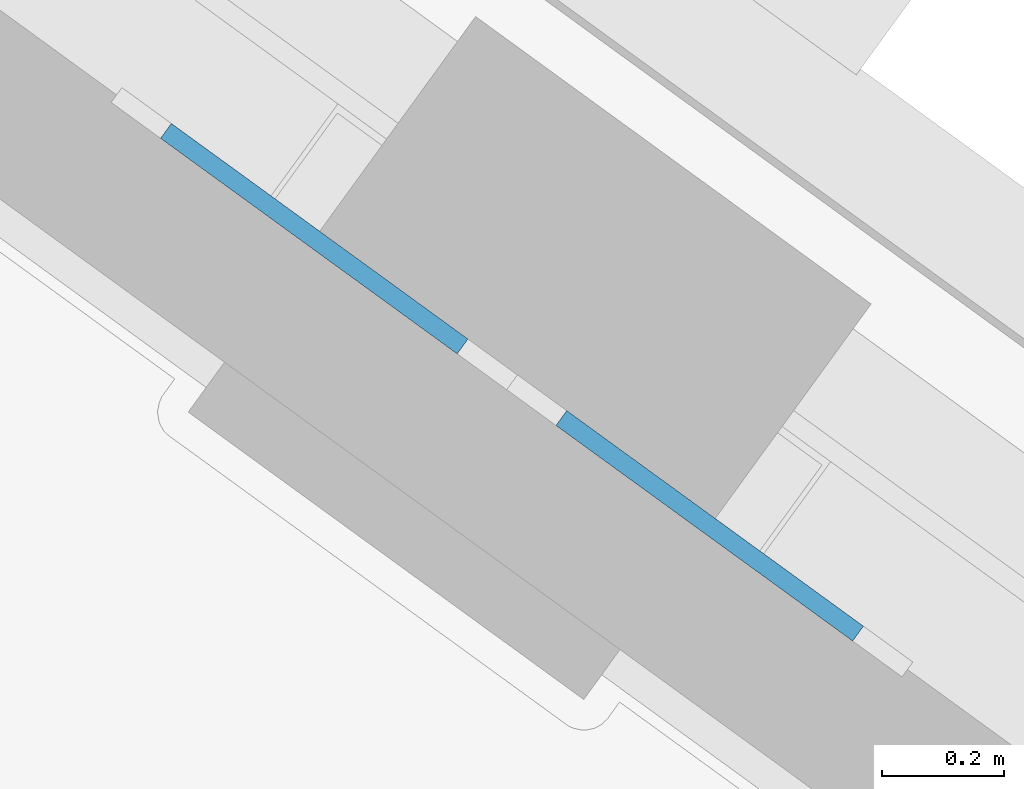
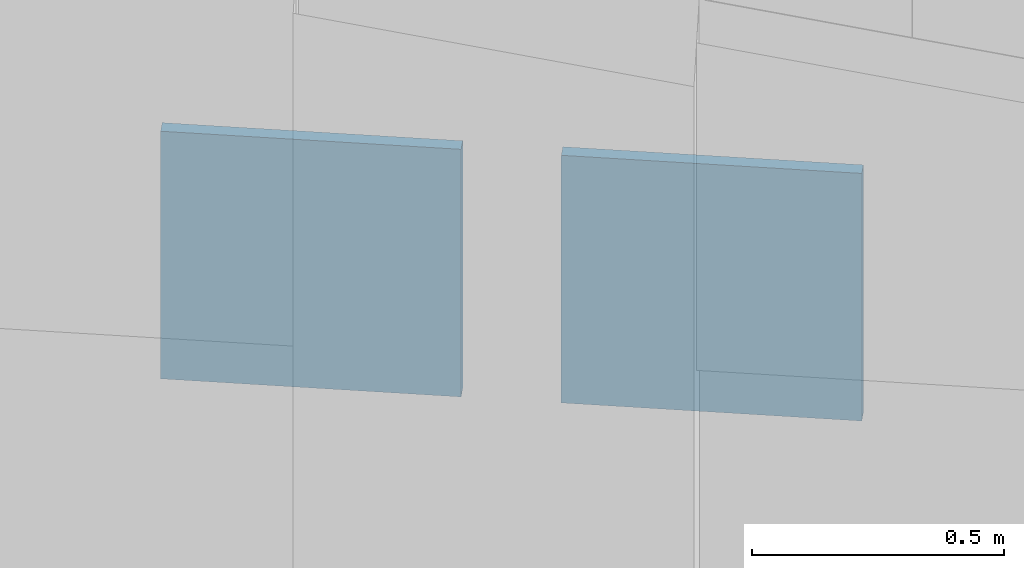
# One storey, part 8 of 15: 2 plates.
"""IFC4 building model written with IfcOpenShell, lengths in metres."""

from ifc_helpers import new_model, si_unit, direction, frame, origin, origin_2d, place, context, subcontext, project, spatial, rectangle, extrude, material, layer, layer_set, type_object, element, save


model = new_model("IFC4")

# Units and contexts
model_context = context("Model", 3, precision=1e-05, world=origin(), true_north=direction((0.0, 1.0)))
body_context = subcontext(model_context, "Body", "Model", "MODEL_VIEW")
ifc_project = project(units=[si_unit("LENGTHUNIT", "METRE"), si_unit("AREAUNIT", "SQUARE_METRE"), si_unit("VOLUMEUNIT", "CUBIC_METRE"), si_unit("PLANEANGLEUNIT", "RADIAN"), si_unit("MASSUNIT", "GRAM", prefix="KILO")], contexts=[model_context])

# Site, building, storey
site_placement = place(None, origin())
site = spatial("IfcSite", under=ifc_project, at=site_placement, CompositionType="ELEMENT")
building_placement = place(site_placement, origin())
building = spatial("IfcBuilding", under=site, at=building_placement, Name="Quipu Civic Tower", CompositionType="ELEMENT")
storey_placement = place(building_placement, frame((0.0, 0.0, 242.0)))
storey = spatial("IfcBuildingStorey", under=building, at=storey_placement, Name="L57", CompositionType="ELEMENT", Elevation=242.0)

# Plates
ifc_material = material(Name="Steel ASTM A572 Grade 50 (fy 345 MPa)", Category="steel")
ifc_layer = layer(ifc_material, 0.030029296875)
ifc_layer_set = layer_set([ifc_layer], Name="Steel ASTM A572 Grade 50 (fy 345 MPa)")
plate_type = type_object("IfcPlateType", Name="Cast in plate TD3", PredefinedType="SHEET", material=ifc_layer_set)
for number, where, z_axis, x_axis, name in (
    (1, (32.931640625, 17.118408203125, 3.800048828125), (0.0, 0.0, 1.0), (0.809006735464, -0.587799372213, 0.0), "Cast-in plate TD3 L57 057"),
    (2, (32.284423828125, 17.58837890625, 3.800048828125), (0.0, 0.0, 1.0), (0.809006735464, -0.587799372213, 0.0), "Cast-in plate TD3 L57 060"),
):
    element("IfcPlate", number, at=place(storey_placement, frame(where, z_axis=z_axis, x_axis=x_axis)), inside=storey, type_object=plate_type, Name=name, PredefinedType="SHEET", context=body_context, shape_type="SweptSolid", body=[
        extrude(rectangle(XDim=0.60009765625, YDim=0.030029296875, at=origin_2d()), origin(), (0.0, 0.0, 1.0), 0.60009765625),
    ])

save(model, "model.ifc")
